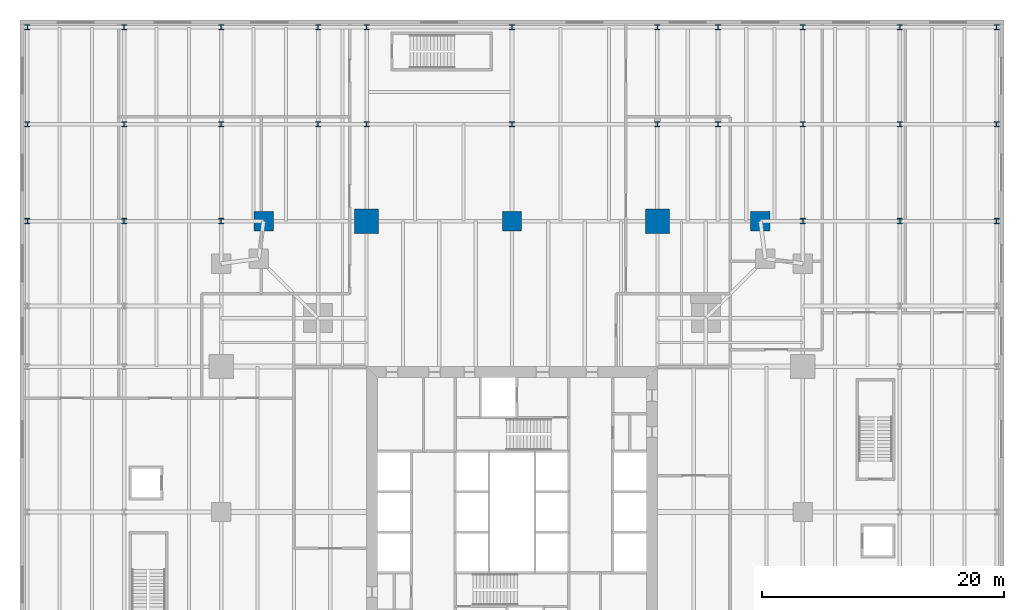
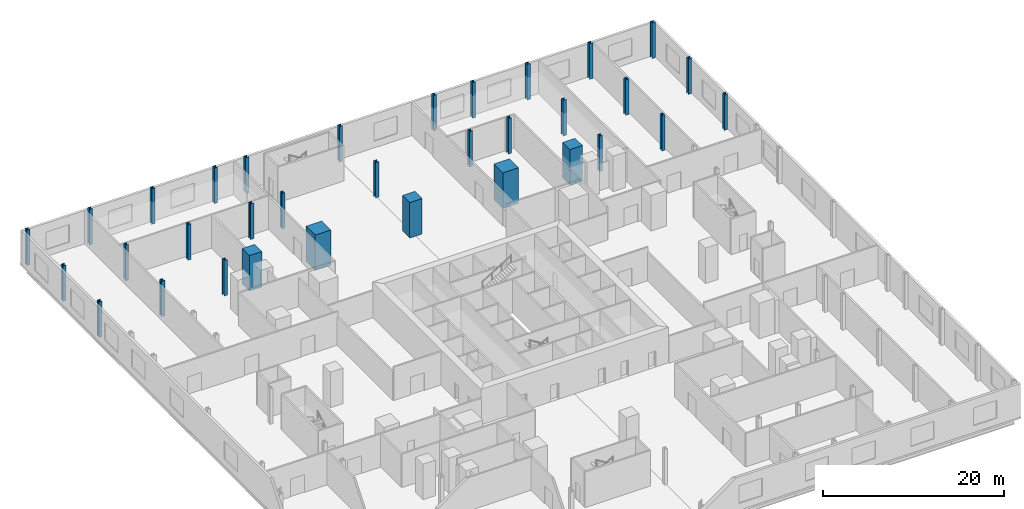
# One storey, part 3 of 16: 33 columns.
"""IFC4 building model written with IfcOpenShell, lengths in metres."""

from ifc_helpers import new_model, si_unit, direction, frame, origin, origin_2d, place, context, subcontext, project, spatial, rectangle, i_section, extrude, material, material_profile, profile_set, type_object, element, save


model = new_model("IFC4")

# Units and contexts
model_context = context("Model", 3, precision=1e-05, world=origin(), true_north=direction((0.0, 1.0)))
body_context = subcontext(model_context, "Body", "Model", "MODEL_VIEW")
ifc_project = project(units=[si_unit("LENGTHUNIT", "METRE"), si_unit("AREAUNIT", "SQUARE_METRE"), si_unit("VOLUMEUNIT", "CUBIC_METRE"), si_unit("PLANEANGLEUNIT", "RADIAN"), si_unit("MASSUNIT", "GRAM", prefix="KILO")], contexts=[model_context])

# Site, building, storey
site_placement = place(None, origin())
site = spatial("IfcSite", under=ifc_project, at=site_placement, CompositionType="ELEMENT")
building_placement = place(site_placement, origin())
building = spatial("IfcBuilding", under=site, at=building_placement, Name="Fenwick Lantern Interchange", CompositionType="ELEMENT")
storey_placement = place(building_placement, frame((0.0, 0.0, 7.0)))
storey = spatial("IfcBuildingStorey", under=building, at=storey_placement, Name="L01", CompositionType="ELEMENT", Elevation=7.0)

# Columns
ifc_material_1 = material(Name="Concrete f'c 70 MPa", Category="concrete")
ifc_material_profile_1 = material_profile(ifc_material_1, rectangle(XDim=1.60009765625, YDim=1.60009765625, at=origin_2d()), Name="RC1600X1600")
ifc_profile_set_1 = profile_set([ifc_material_profile_1], Name="Concrete f'c 70 MPa")
column_type_1 = type_object("IfcColumnType", Name="PERIMETER COLUMN RC1600X1600", PredefinedType="COLUMN", material=ifc_profile_set_1)
for number, where, z_axis, x_axis, name in (
    (1, (45.5, 49.0, 0.0), (0.0, 0.0, 1.0), (1.0, 0.0, 0.0), "L01/CN1"),
    (2, (25.0, 49.0, 0.0), (0.0, 0.0, 1.0), (1.0, 0.0, 0.0), "L01/CN3"),
    (3, (4.5, 49.0, 0.0), (0.0, 0.0, 1.0), (1.0, 0.0, 0.0), "L01/CN5"),
):
    element("IfcColumn", number, at=place(storey_placement, frame(where, z_axis=z_axis, x_axis=x_axis)), inside=storey, type_object=column_type_1, Name=name, PredefinedType="COLUMN", context=body_context, shape_type="SweptSolid", body=[
        extrude(rectangle(XDim=1.60009765625, YDim=1.60009765625, at=origin_2d()), origin(), (0.0, 0.0, 1.0), 4.800048828125),
    ])
ifc_material_profile_2 = material_profile(ifc_material_1, rectangle(XDim=2.0, YDim=2.0, at=origin_2d()), Name="RC2000X2000")
ifc_profile_set_2 = profile_set([ifc_material_profile_2], Name="Concrete f'c 70 MPa")
column_type_2 = type_object("IfcColumnType", Name="PERIMETER COLUMN RC2000X2000", PredefinedType="COLUMN", material=ifc_profile_set_2)
for number, where, z_axis, x_axis, name in (
    (4, (37.0, 49.0, 0.0), (0.0, 0.0, 1.0), (1.0, 0.0, 0.0), "L01/CN2"),
    (5, (13.0, 49.0, 0.0), (0.0, 0.0, 1.0), (1.0, 0.0, 0.0), "L01/CN4"),
):
    element("IfcColumn", number, at=place(storey_placement, frame(where, z_axis=z_axis, x_axis=x_axis)), inside=storey, type_object=column_type_2, Name=name, PredefinedType="COLUMN", context=body_context, shape_type="SweptSolid", body=[
        extrude(rectangle(XDim=2.0, YDim=2.0, at=origin_2d()), origin(), (0.0, 0.0, 1.0), 4.800048828125),
    ])
ifc_material_2 = material(Name="Steel ASTM A992 Grade 50", Category="steel")
ifc_material_profile_3 = material_profile(ifc_material_2, i_section(OverallWidth=0.41650390625, OverallDepth=0.444580078125, WebThickness=0.0390625, FlangeThickness=0.062744140625, at=origin_2d()), Name="W14X342")
ifc_profile_set_3 = profile_set([ifc_material_profile_3], Name="Steel ASTM A992 Grade 50")
column_type_3 = type_object("IfcColumnType", Name="PODIUM COLUMN W14X342", PredefinedType="COLUMN", material=ifc_profile_set_3)
for number, where, z_axis, x_axis, name in (
    (6, (-15.0, 49.0, 0.0), (0.0, 0.0, 1.0), (1.0, 0.0, 0.0), "L01/PJ1"),
    (7, (-15.0, 57.0, 0.0), (0.0, 0.0, 1.0), (1.0, 0.0, 0.0), "L01/PK1"),
    (8, (-15.0, 65.0, 0.0), (0.0, 0.0, 1.0), (1.0, 0.0, 0.0), "L01/PL1"),
    (9, (-7.0, 49.0, 0.0), (0.0, 0.0, 1.0), (1.0, 0.0, 0.0), "L01/PJ2"),
    (10, (-7.0, 57.0, 0.0), (0.0, 0.0, 1.0), (1.0, 0.0, 0.0), "L01/PK2"),
    (11, (-7.0, 65.0, 0.0), (0.0, 0.0, 1.0), (1.0, 0.0, 0.0), "L01/PL2"),
    (12, (1.0, 49.0, 0.0), (0.0, 0.0, 1.0), (1.0, 0.0, 0.0), "L01/PJ3"),
    (13, (1.0, 57.0, 0.0), (0.0, 0.0, 1.0), (1.0, 0.0, 0.0), "L01/PK3"),
    (14, (1.0, 65.0, 0.0), (0.0, 0.0, 1.0), (1.0, 0.0, 0.0), "L01/PL3"),
    (15, (9.0, 57.0, 0.0), (0.0, 0.0, 1.0), (1.0, 0.0, 0.0), "L01/PK4"),
    (16, (9.0, 65.0, 0.0), (0.0, 0.0, 1.0), (1.0, 0.0, 0.0), "L01/PL4"),
    (17, (13.0, 57.0, 0.0), (0.0, 0.0, 1.0), (1.0, 0.0, 0.0), "L01/PK5"),
    (18, (13.0, 65.0, 0.0), (0.0, 0.0, 1.0), (1.0, 0.0, 0.0), "L01/PL5"),
    (19, (25.0, 57.0, 0.0), (0.0, 0.0, 1.0), (1.0, 0.0, 0.0), "L01/PK6"),
    (20, (25.0, 65.0, 0.0), (0.0, 0.0, 1.0), (1.0, 0.0, 0.0), "L01/PL6"),
    (21, (37.0, 57.0, 0.0), (0.0, 0.0, 1.0), (1.0, 0.0, 0.0), "L01/PK7"),
    (22, (37.0, 65.0, 0.0), (0.0, 0.0, 1.0), (1.0, 0.0, 0.0), "L01/PL7"),
    (23, (42.0, 57.0, 0.0), (0.0, 0.0, 1.0), (1.0, 0.0, 0.0), "L01/PK8"),
    (24, (42.0, 65.0, 0.0), (0.0, 0.0, 1.0), (1.0, 0.0, 0.0), "L01/PL8"),
    (25, (49.0, 49.0, 0.0), (0.0, 0.0, 1.0), (1.0, 0.0, 0.0), "L01/PJ9"),
    (26, (49.0, 57.0, 0.0), (0.0, 0.0, 1.0), (1.0, 0.0, 0.0), "L01/PK9"),
    (27, (49.0, 65.0, 0.0), (0.0, 0.0, 1.0), (1.0, 0.0, 0.0), "L01/PL9"),
    (28, (57.0, 49.0, 0.0), (0.0, 0.0, 1.0), (1.0, 0.0, 0.0), "L01/PJ10"),
    (29, (57.0, 57.0, 0.0), (0.0, 0.0, 1.0), (1.0, 0.0, 0.0), "L01/PK10"),
    (30, (57.0, 65.0, 0.0), (0.0, 0.0, 1.0), (1.0, 0.0, 0.0), "L01/PL10"),
    (31, (65.0, 49.0, 0.0), (0.0, 0.0, 1.0), (1.0, 0.0, 0.0), "L01/PJ11"),
    (32, (65.0, 57.0, 0.0), (0.0, 0.0, 1.0), (1.0, 0.0, 0.0), "L01/PK11"),
    (33, (65.0, 65.0, 0.0), (0.0, 0.0, 1.0), (1.0, 0.0, 0.0), "L01/PL11"),
):
    element("IfcColumn", number, at=place(storey_placement, frame(where, z_axis=z_axis, x_axis=x_axis)), inside=storey, type_object=column_type_3, Name=name, PredefinedType="COLUMN", context=body_context, shape_type="SweptSolid", body=[
        extrude(i_section(OverallWidth=0.41650390625, OverallDepth=0.444580078125, WebThickness=0.0390625, FlangeThickness=0.062744140625, at=origin_2d()), origin(), (0.0, 0.0, 1.0), 4.800048828125),
    ])

save(model, "model.ifc")
